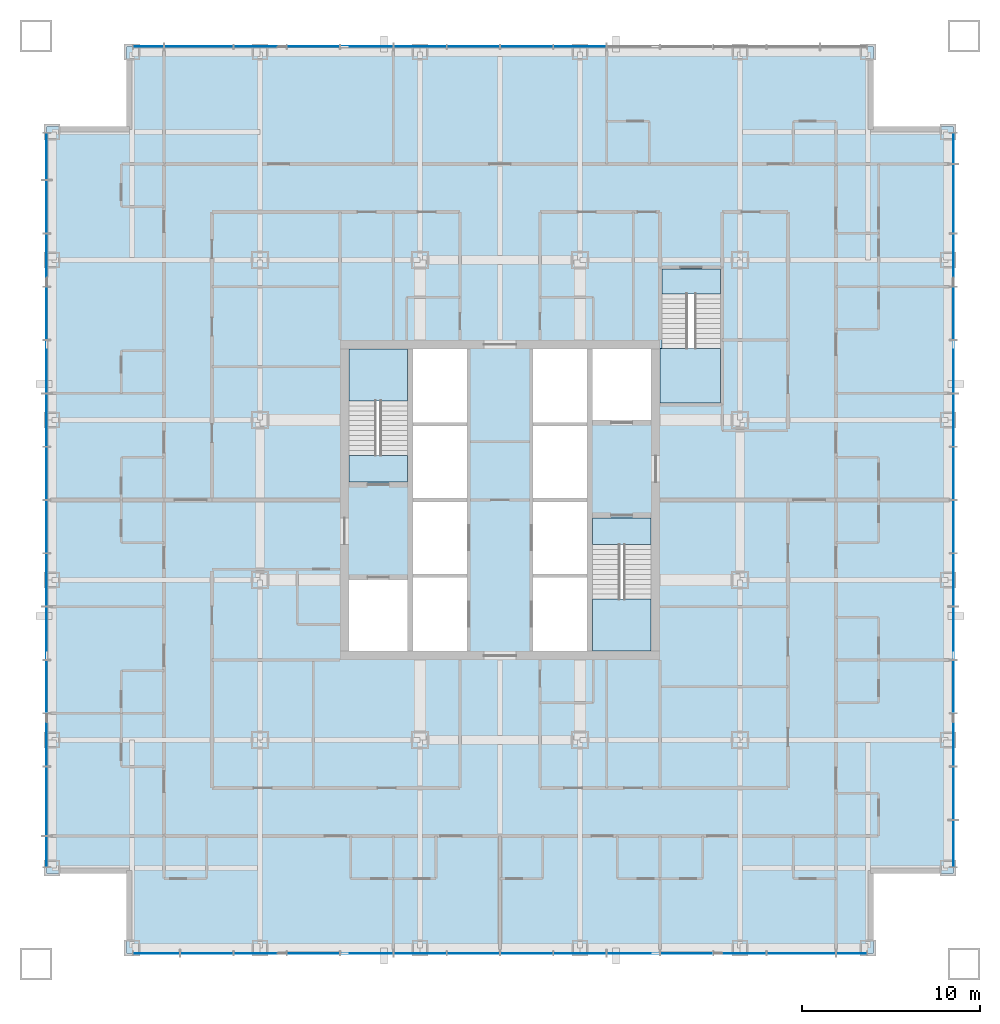
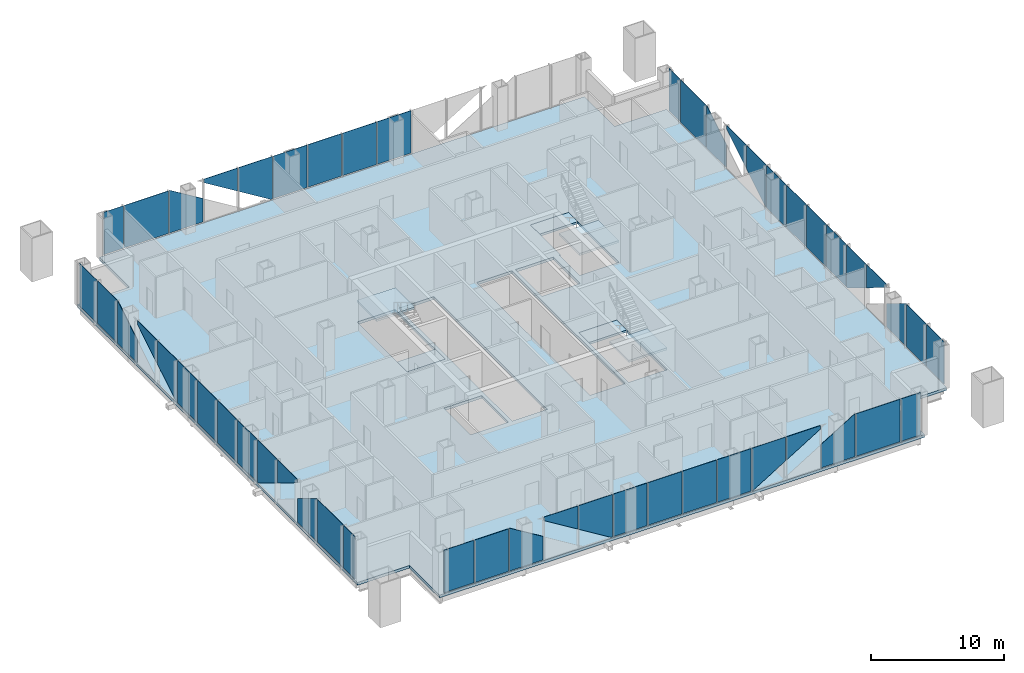
# One storey, part 6 of 17: 51 plates, 7 slabs, 7 elements without a shape of their own.
"""IFC4 building model written with IfcOpenShell, lengths in metres."""

from ifc_helpers import new_model, si_unit, direction, frame, origin, origin_2d, place, context, subcontext, project, spatial, polyline, rectangle, outline, extrude, material, layer, layer_set, type_object, element, aggregate, save


model = new_model("IFC4")

# Units and contexts
model_context = context("Model", 3, precision=1e-05, world=origin(), true_north=direction((0.0, 1.0)))
body_context = subcontext(model_context, "Body", "Model", "MODEL_VIEW")
ifc_project = project(units=[si_unit("LENGTHUNIT", "METRE"), si_unit("AREAUNIT", "SQUARE_METRE"), si_unit("VOLUMEUNIT", "CUBIC_METRE"), si_unit("PLANEANGLEUNIT", "RADIAN"), si_unit("MASSUNIT", "GRAM", prefix="KILO")], contexts=[model_context])

# Site, building, storey
site_placement = place(None, origin())
site = spatial("IfcSite", under=ifc_project, at=site_placement, CompositionType="ELEMENT")
building_placement = place(site_placement, origin())
building = spatial("IfcBuilding", under=site, at=building_placement, Name="Malebo Sky Hospital", CompositionType="ELEMENT")
storey_placement = place(building_placement, frame((0.0, 0.0, 83.0)))
storey = spatial("IfcBuildingStorey", under=building, at=storey_placement, Name="L19", CompositionType="ELEMENT", Elevation=83.0)

# Slab
ifc_material_1 = material(Name="Concrete C40/50", Category="concrete")
ifc_layer_1 = layer(ifc_material_1, 0.25)
ifc_layer_set_1 = layer_set([ifc_layer_1], Name="COMPOSITE FLOOR SLAB 250")
slab_type_1 = type_object("IfcSlabType", Name="COMPOSITE FLOOR SLAB 250", PredefinedType="FLOOR", material=ifc_layer_set_1)
slab_1_placement = place(storey_placement, frame((0.0, 0.0, -0.25)))
element("IfcSlab", 1, at=slab_1_placement, inside=storey, type_object=slab_type_1, Name="Floor slab L19", PredefinedType="FLOOR", context=body_context, shape_type="SweptSolid", body=[
    extrude(outline(polyline([(39.0, 87.5), (39.0, 83.0), (34.5, 83.0), (34.5, 41.0), (39.0, 41.0), (39.0, 36.5), (81.0, 36.5), (81.0, 41.0), (85.5, 41.0), (85.5, 83.0), (81.0, 83.0), (81.0, 87.5), (39.0, 87.5)]), holes=[polyline([(55.10009765625, 70.5), (58.14990234375, 70.5), (58.14990234375, 53.5), (55.10009765625, 53.5), (55.10009765625, 70.5)]), polyline([(64.89990234375, 70.5), (64.89990234375, 53.5), (61.85009765625, 53.5), (61.85009765625, 70.5), (64.89990234375, 70.5)]), polyline([(54.800048828125, 63.0), (51.5, 63.0), (51.5, 70.5), (54.800048828125, 70.5), (54.800048828125, 63.0)]), polyline([(51.5, 53.5), (51.5, 57.5), (54.800048828125, 57.5), (54.800048828125, 53.5), (51.5, 53.5)]), polyline([(65.199951171875, 61.0), (68.5, 61.0), (68.5, 53.5), (65.199951171875, 53.5), (65.199951171875, 61.0)]), polyline([(68.5, 70.5), (68.5, 66.5), (65.199951171875, 66.5), (65.199951171875, 70.5), (68.5, 70.5)]), polyline([(69.0, 67.449951171875), (69.0, 70.52001953125), (69.10009765625, 70.52001953125), (69.10009765625, 75.0), (72.39990234375, 75.0), (72.39990234375, 67.449951171875), (69.10009765625, 67.449951171875), (69.0, 67.449951171875)])]), origin(), (0.0, 0.0, 1.0), 0.25),
])

# Stair, slabs
stair_type_1 = type_object("IfcStairType", Name="HALF-TURN STAIR 1500 R167", PredefinedType="HALF_TURN_STAIR", material=ifc_material_1)
stair_1_placement = place(storey_placement, origin())
stair_1 = element("IfcStair", 2, at=stair_1_placement, inside=storey, type_object=stair_type_1, Name="Stair S1 L19 type ST1", PredefinedType="HALF_TURN_STAIR")
ifc_layer_2 = layer(ifc_material_1, 0.199951171875)
ifc_layer_set_2 = layer_set([ifc_layer_2], Name="STAIR LANDING 200")
slab_type_2 = type_object("IfcSlabType", Name="STAIR LANDING 200", PredefinedType="LANDING", material=ifc_layer_set_2)
slab_2_placement = place(storey_placement, frame((0.0, 0.0, -0.199951171875)))
slab_2 = element("IfcSlab", 3, at=slab_2_placement, type_object=slab_type_2, Name="S1 landing 1", PredefinedType="LANDING", context=body_context, shape_type="SweptSolid", body=[
    extrude(outline(polyline([(51.5, 63.0), (54.800048828125, 63.0), (54.800048828125, 64.5), (51.5, 64.5), (51.5, 63.0)])), origin(), (0.0, 0.0, 1.0), 0.199951171875),
])
slab_3_placement = place(storey_placement, frame((0.0, 0.0, 1.800048828125)))
slab_3 = element("IfcSlab", 4, at=slab_3_placement, type_object=slab_type_2, Name="S1 landing 2", PredefinedType="LANDING", context=body_context, shape_type="SweptSolid", body=[
    extrude(outline(polyline([(51.5, 67.580078125), (54.800048828125, 67.580078125), (54.800048828125, 70.5), (51.5, 70.5), (51.5, 67.580078125)])), origin(), (0.0, 0.0, 1.0), 0.199951171875),
])
aggregate(stair_1, [slab_2, slab_3])

stair_2_placement = place(storey_placement, origin())
stair_2 = element("IfcStair", 5, at=stair_2_placement, inside=storey, type_object=stair_type_1, Name="Stair S2 L19 type ST1", PredefinedType="HALF_TURN_STAIR")
slab_4_placement = place(storey_placement, frame((0.0, 0.0, -0.199951171875)))
slab_4 = element("IfcSlab", 6, at=slab_4_placement, type_object=slab_type_2, Name="S2 landing 1", PredefinedType="LANDING", context=body_context, shape_type="SweptSolid", body=[
    extrude(outline(polyline([(65.199951171875, 59.5), (68.5, 59.5), (68.5, 61.0), (65.199951171875, 61.0), (65.199951171875, 59.5)])), origin(), (0.0, 0.0, 1.0), 0.199951171875),
])
slab_5_placement = place(storey_placement, frame((0.0, 0.0, 1.800048828125)))
slab_5 = element("IfcSlab", 7, at=slab_5_placement, type_object=slab_type_2, Name="S2 landing 2", PredefinedType="LANDING", context=body_context, shape_type="SweptSolid", body=[
    extrude(outline(polyline([(65.199951171875, 53.5), (68.5, 53.5), (68.5, 56.419921875), (65.199951171875, 56.419921875), (65.199951171875, 53.5)])), origin(), (0.0, 0.0, 1.0), 0.199951171875),
])
aggregate(stair_2, [slab_4, slab_5])

stair_type_2 = type_object("IfcStairType", Name="HALF-TURN STAIR 1400 R167", PredefinedType="HALF_TURN_STAIR", material=ifc_material_1)
stair_3_placement = place(storey_placement, origin())
stair_3 = element("IfcStair", 8, at=stair_3_placement, inside=storey, type_object=stair_type_2, Name="Stair S3 L19 type ST1B", PredefinedType="HALF_TURN_STAIR")
slab_6_placement = place(storey_placement, frame((0.0, 0.0, -0.199951171875)))
slab_6 = element("IfcSlab", 9, at=slab_6_placement, type_object=slab_type_2, Name="S3 landing 1", PredefinedType="LANDING", context=body_context, shape_type="SweptSolid", body=[
    extrude(outline(polyline([(69.10009765625, 73.60009765625), (72.39990234375, 73.60009765625), (72.39990234375, 75.0), (69.10009765625, 75.0), (69.10009765625, 73.60009765625)])), origin(), (0.0, 0.0, 1.0), 0.199951171875),
])
slab_7_placement = place(storey_placement, frame((0.0, 0.0, 1.800048828125)))
slab_7 = element("IfcSlab", 10, at=slab_7_placement, type_object=slab_type_2, Name="S3 landing 2", PredefinedType="LANDING", context=body_context, shape_type="SweptSolid", body=[
    extrude(outline(polyline([(69.0, 67.449951171875), (72.39990234375, 67.449951171875), (72.39990234375, 70.52001953125), (69.0, 70.52001953125), (69.0, 67.449951171875)])), origin(), (0.0, 0.0, 1.0), 0.199951171875),
])
aggregate(stair_3, [slab_6, slab_7])

# Curtain wall, plates
ifc_material_2 = material(Name="Anodised aluminium, natural silver", Category="aluminium")
ifc_layer_3 = layer(ifc_material_2, 0.25)
ifc_layer_set_3 = layer_set([ifc_layer_3], Name="WARD CURTAIN WALL NORTH AND SOUTH")
curtain_wall_type_1 = type_object("IfcCurtainWallType", Name="WARD CURTAIN WALL NORTH AND SOUTH", PredefinedType="NOTDEFINED", material=ifc_layer_set_3)
curtain_wall_1_placement = place(storey_placement, origin())
curtain_wall_1 = element("IfcCurtainWall", 11, at=curtain_wall_1_placement, inside=storey, type_object=curtain_wall_type_1, Name="NS curtain wall N", PredefinedType="NOTDEFINED")
ifc_material_3 = material(Name="Clear low-iron double glazing", Category="glass")
ifc_layer_4 = layer(ifc_material_3, 0.031982421875)
ifc_layer_set_4 = layer_set([ifc_layer_4], Name="VISION PANEL CLEAR 32")
plate_type = type_object("IfcPlateType", Name="VISION PANEL CLEAR 32", PredefinedType="CURTAIN_PANEL", material=ifc_layer_set_4)
plate_1_placement = place(storey_placement, frame((40.21875, 87.5, 0.10009765625), z_axis=(0.0, 0.0, 1.0), x_axis=(1.0, 0.0, 0.0)))
plate_1 = element("IfcPlate", 12, at=plate_1_placement, type_object=plate_type, Name="Panel 1", PredefinedType="CURTAIN_PANEL", context=body_context, shape_type="SweptSolid", body=[
    extrude(rectangle(XDim=1.6875, YDim=0.031982421875, at=origin_2d()), origin(), (0.0, 0.0, 1.0), 3.889892578125),
])
plate_2_placement = place(storey_placement, frame((43.050048828125, 87.5, 0.10009765625), z_axis=(0.0, 0.0, 1.0), x_axis=(1.0, 0.0, 0.0)))
plate_2 = element("IfcPlate", 13, at=plate_2_placement, type_object=plate_type, Name="Panel 2", PredefinedType="CURTAIN_PANEL", context=body_context, shape_type="SweptSolid", body=[
    extrude(rectangle(XDim=3.824951171875, YDim=0.031982421875, at=origin_2d()), origin(), (0.0, 0.0, 1.0), 3.889892578125),
])
plate_3_placement = place(storey_placement, frame((46.5, 87.5, 0.10009765625), z_axis=(0.0, 0.0, 1.0), x_axis=(1.0, 0.0, 0.0)))
plate_3 = element("IfcPlate", 14, at=plate_3_placement, type_object=plate_type, Name="Panel 3", PredefinedType="CURTAIN_PANEL", context=body_context, shape_type="SweptSolid", body=[
    extrude(outline(polyline([(-1.46240234375, 0.0), (1.46240234375, 0.0), (1.46240234375, 2.145751953125), (-1.3828125, 3.889892578125), (-1.46240234375, 3.889892578125), (-1.46240234375, 0.0)])), frame((0.0, 0.01611328125, 0.0), z_axis=(0.0, -1.0, 0.0), x_axis=(1.0, 0.0, 0.0)), (0.0, 0.0, 1.0), 0.031982421875),
])
plate_4_placement = place(storey_placement, frame((49.5, 87.5, 1.8740234375), z_axis=(0.0, 0.0, 1.0), x_axis=(1.0, 0.0, 0.0)))
plate_4 = element("IfcPlate", 15, at=plate_4_placement, type_object=plate_type, Name="Panel 4", PredefinedType="CURTAIN_PANEL", context=body_context, shape_type="SweptSolid", body=[
    extrude(outline(polyline([(1.46240234375, 0.0), (1.46240234375, 2.115966796875), (-1.46240234375, 2.115966796875), (-1.46240234375, 1.793212890625), (1.46240234375, 0.0)])), frame((0.0, 0.01611328125, 0.0), z_axis=(0.0, -1.0, 0.0), x_axis=(1.0, 0.0, 0.0)), (0.0, 0.0, 1.0), 0.031982421875),
])
plate_5_placement = place(storey_placement, frame((52.5, 87.5, 0.10009765625), z_axis=(0.0, 0.0, 1.0), x_axis=(1.0, 0.0, 0.0)))
plate_5 = element("IfcPlate", 16, at=plate_5_placement, type_object=plate_type, Name="Panel 5", PredefinedType="CURTAIN_PANEL", context=body_context, shape_type="SweptSolid", body=[
    extrude(outline(polyline([(1.356201171875, 0.0), (1.46240234375, 0.0), (1.46240234375, 3.889892578125), (-1.46240234375, 3.889892578125), (-1.46240234375, 1.72802734375), (1.356201171875, 0.0)])), frame((0.0, 0.01611328125, 0.0), z_axis=(0.0, -1.0, 0.0), x_axis=(1.0, 0.0, 0.0)), (0.0, 0.0, 1.0), 0.031982421875),
])
plate_6_placement = place(storey_placement, frame((55.5, 87.5, 0.10009765625), z_axis=(0.0, 0.0, 1.0), x_axis=(1.0, 0.0, 0.0)))
plate_6 = element("IfcPlate", 17, at=plate_6_placement, type_object=plate_type, Name="Panel 6", PredefinedType="CURTAIN_PANEL", context=body_context, shape_type="SweptSolid", body=[
    extrude(rectangle(XDim=2.925048828125, YDim=0.031982421875, at=origin_2d()), origin(), (0.0, 0.0, 1.0), 3.889892578125),
])
plate_7_placement = place(storey_placement, frame((58.5, 87.5, 0.10009765625), z_axis=(0.0, 0.0, 1.0), x_axis=(1.0, 0.0, 0.0)))
plate_7 = element("IfcPlate", 18, at=plate_7_placement, type_object=plate_type, Name="Panel 7", PredefinedType="CURTAIN_PANEL", context=body_context, shape_type="SweptSolid", body=[
    extrude(rectangle(XDim=2.925048828125, YDim=0.031982421875, at=origin_2d()), origin(), (0.0, 0.0, 1.0), 3.889892578125),
])
plate_8_placement = place(storey_placement, frame((61.5, 87.5, 0.10009765625), z_axis=(0.0, 0.0, 1.0), x_axis=(1.0, 0.0, 0.0)))
plate_8 = element("IfcPlate", 19, at=plate_8_placement, type_object=plate_type, Name="Panel 8", PredefinedType="CURTAIN_PANEL", context=body_context, shape_type="SweptSolid", body=[
    extrude(rectangle(XDim=2.925048828125, YDim=0.031982421875, at=origin_2d()), origin(), (0.0, 0.0, 1.0), 3.889892578125),
])
plate_9_placement = place(storey_placement, frame((64.5, 87.5, 0.10009765625), z_axis=(0.0, 0.0, 1.0), x_axis=(1.0, 0.0, 0.0)))
plate_9 = element("IfcPlate", 20, at=plate_9_placement, type_object=plate_type, Name="Panel 9", PredefinedType="CURTAIN_PANEL", context=body_context, shape_type="SweptSolid", body=[
    extrude(rectangle(XDim=2.925048828125, YDim=0.031982421875, at=origin_2d()), origin(), (0.0, 0.0, 1.0), 3.889892578125),
])
aggregate(curtain_wall_1, [plate_1, plate_2, plate_3, plate_4, plate_5, plate_6, plate_7, plate_8, plate_9])

ifc_layer_5 = layer(ifc_material_2, 0.25)
ifc_layer_set_5 = layer_set([ifc_layer_5], Name="WARD CURTAIN WALL EAST AND WEST")
curtain_wall_type_2 = type_object("IfcCurtainWallType", Name="WARD CURTAIN WALL EAST AND WEST", PredefinedType="NOTDEFINED", material=ifc_layer_set_5)
curtain_wall_2_placement = place(storey_placement, origin())
curtain_wall_2 = element("IfcCurtainWall", 21, at=curtain_wall_2_placement, inside=storey, type_object=curtain_wall_type_2, Name="EW curtain wall W", PredefinedType="NOTDEFINED")
plate_10_placement = place(storey_placement, frame((34.5, 42.21875, 0.10009765625), z_axis=(0.0, 0.0, 1.0), x_axis=(0.0, 1.0, 0.0)))
plate_10 = element("IfcPlate", 22, at=plate_10_placement, type_object=plate_type, Name="Panel 1", PredefinedType="CURTAIN_PANEL", context=body_context, shape_type="SweptSolid", body=[
    extrude(rectangle(XDim=1.6875, YDim=0.031982421875, at=origin_2d()), origin(), (0.0, 0.0, 1.0), 3.889892578125),
])
plate_11_placement = place(storey_placement, frame((34.5, 45.050048828125, 0.10009765625), z_axis=(0.0, 0.0, 1.0), x_axis=(0.0, 1.0, 0.0)))
plate_11 = element("IfcPlate", 23, at=plate_11_placement, type_object=plate_type, Name="Panel 2", PredefinedType="CURTAIN_PANEL", context=body_context, shape_type="SweptSolid", body=[
    extrude(rectangle(XDim=3.824951171875, YDim=0.031982421875, at=origin_2d()), origin(), (0.0, 0.0, 1.0), 3.889892578125),
])
plate_12_placement = place(storey_placement, frame((34.5, 48.5, 0.10009765625), z_axis=(0.0, 0.0, 1.0), x_axis=(0.0, 1.0, 0.0)))
plate_12 = element("IfcPlate", 24, at=plate_12_placement, type_object=plate_type, Name="Panel 3", PredefinedType="CURTAIN_PANEL", context=body_context, shape_type="SweptSolid", body=[
    extrude(outline(polyline([(-1.46240234375, 0.0), (1.46240234375, 0.0), (1.46240234375, 2.145751953125), (-1.3828125, 3.889892578125), (-1.46240234375, 3.889892578125), (-1.46240234375, 0.0)])), frame((0.0, 0.01611328125, 0.0), z_axis=(0.0, -1.0, 0.0), x_axis=(1.0, 0.0, 0.0)), (0.0, 0.0, 1.0), 0.031982421875),
])
plate_13_placement = place(storey_placement, frame((34.5, 51.5, 1.8740234375), z_axis=(0.0, 0.0, 1.0), x_axis=(0.0, 1.0, 0.0)))
plate_13 = element("IfcPlate", 25, at=plate_13_placement, type_object=plate_type, Name="Panel 4", PredefinedType="CURTAIN_PANEL", context=body_context, shape_type="SweptSolid", body=[
    extrude(outline(polyline([(1.46240234375, 0.0), (1.46240234375, 2.115966796875), (-1.46240234375, 2.115966796875), (-1.46240234375, 1.793212890625), (1.46240234375, 0.0)])), frame((0.0, 0.01611328125, 0.0), z_axis=(0.0, -1.0, 0.0), x_axis=(1.0, 0.0, 0.0)), (0.0, 0.0, 1.0), 0.031982421875),
])
plate_14_placement = place(storey_placement, frame((34.5, 54.5, 0.10009765625), z_axis=(0.0, 0.0, 1.0), x_axis=(0.0, 1.0, 0.0)))
plate_14 = element("IfcPlate", 26, at=plate_14_placement, type_object=plate_type, Name="Panel 5", PredefinedType="CURTAIN_PANEL", context=body_context, shape_type="SweptSolid", body=[
    extrude(outline(polyline([(1.356201171875, 0.0), (1.46240234375, 0.0), (1.46240234375, 3.889892578125), (-1.46240234375, 3.889892578125), (-1.46240234375, 1.72802734375), (1.356201171875, 0.0)])), frame((0.0, 0.01611328125, 0.0), z_axis=(0.0, -1.0, 0.0), x_axis=(1.0, 0.0, 0.0)), (0.0, 0.0, 1.0), 0.031982421875),
])
plate_15_placement = place(storey_placement, frame((34.5, 57.5, 0.10009765625), z_axis=(0.0, 0.0, 1.0), x_axis=(0.0, 1.0, 0.0)))
plate_15 = element("IfcPlate", 27, at=plate_15_placement, type_object=plate_type, Name="Panel 6", PredefinedType="CURTAIN_PANEL", context=body_context, shape_type="SweptSolid", body=[
    extrude(rectangle(XDim=2.925048828125, YDim=0.031982421875, at=origin_2d()), origin(), (0.0, 0.0, 1.0), 3.889892578125),
])
plate_16_placement = place(storey_placement, frame((34.5, 60.5, 0.10009765625), z_axis=(0.0, 0.0, 1.0), x_axis=(0.0, 1.0, 0.0)))
plate_16 = element("IfcPlate", 28, at=plate_16_placement, type_object=plate_type, Name="Panel 7", PredefinedType="CURTAIN_PANEL", context=body_context, shape_type="SweptSolid", body=[
    extrude(rectangle(XDim=2.925048828125, YDim=0.031982421875, at=origin_2d()), origin(), (0.0, 0.0, 1.0), 3.889892578125),
])
plate_17_placement = place(storey_placement, frame((34.5, 63.5, 0.10009765625), z_axis=(0.0, 0.0, 1.0), x_axis=(0.0, 1.0, 0.0)))
plate_17 = element("IfcPlate", 29, at=plate_17_placement, type_object=plate_type, Name="Panel 8", PredefinedType="CURTAIN_PANEL", context=body_context, shape_type="SweptSolid", body=[
    extrude(rectangle(XDim=2.925048828125, YDim=0.031982421875, at=origin_2d()), origin(), (0.0, 0.0, 1.0), 3.889892578125),
])
plate_18_placement = place(storey_placement, frame((34.5, 66.5, 0.10009765625), z_axis=(0.0, 0.0, 1.0), x_axis=(0.0, 1.0, 0.0)))
plate_18 = element("IfcPlate", 30, at=plate_18_placement, type_object=plate_type, Name="Panel 9", PredefinedType="CURTAIN_PANEL", context=body_context, shape_type="SweptSolid", body=[
    extrude(rectangle(XDim=2.925048828125, YDim=0.031982421875, at=origin_2d()), origin(), (0.0, 0.0, 1.0), 3.889892578125),
])
plate_19_placement = place(storey_placement, frame((34.5, 69.5, 0.10009765625), z_axis=(0.0, 0.0, 1.0), x_axis=(0.0, 1.0, 0.0)))
plate_19 = element("IfcPlate", 31, at=plate_19_placement, type_object=plate_type, Name="Panel 10", PredefinedType="CURTAIN_PANEL", context=body_context, shape_type="SweptSolid", body=[
    extrude(outline(polyline([(-1.46240234375, 0.0), (-1.356201171875, 0.0), (1.46240234375, 1.72802734375), (1.46240234375, 3.889892578125), (-1.46240234375, 3.889892578125), (-1.46240234375, 0.0)])), frame((0.0, 0.01611328125, 0.0), z_axis=(0.0, -1.0, 0.0), x_axis=(1.0, 0.0, 0.0)), (0.0, 0.0, 1.0), 0.031982421875),
])
plate_20_placement = place(storey_placement, frame((34.5, 72.5, 1.8740234375), z_axis=(0.0, 0.0, 1.0), x_axis=(0.0, 1.0, 0.0)))
plate_20 = element("IfcPlate", 32, at=plate_20_placement, type_object=plate_type, Name="Panel 11", PredefinedType="CURTAIN_PANEL", context=body_context, shape_type="SweptSolid", body=[
    extrude(outline(polyline([(-1.46240234375, 0.0), (1.46240234375, 1.793212890625), (1.46240234375, 2.115966796875), (-1.46240234375, 2.115966796875), (-1.46240234375, 0.0)])), frame((0.0, 0.01611328125, 0.0), z_axis=(0.0, -1.0, 0.0), x_axis=(1.0, 0.0, 0.0)), (0.0, 0.0, 1.0), 0.031982421875),
])
plate_21_placement = place(storey_placement, frame((34.5, 75.5, 0.10009765625), z_axis=(0.0, 0.0, 1.0), x_axis=(0.0, 1.0, 0.0)))
plate_21 = element("IfcPlate", 33, at=plate_21_placement, type_object=plate_type, Name="Panel 12", PredefinedType="CURTAIN_PANEL", context=body_context, shape_type="SweptSolid", body=[
    extrude(outline(polyline([(-1.46240234375, 0.0), (1.46240234375, 0.0), (1.46240234375, 3.889892578125), (1.3828125, 3.889892578125), (-1.46240234375, 2.145751953125), (-1.46240234375, 0.0)])), frame((0.0, 0.01611328125, 0.0), z_axis=(0.0, -1.0, 0.0), x_axis=(1.0, 0.0, 0.0)), (0.0, 0.0, 1.0), 0.031982421875),
])
plate_22_placement = place(storey_placement, frame((34.5, 78.5, 0.10009765625), z_axis=(0.0, 0.0, 1.0), x_axis=(0.0, 1.0, 0.0)))
plate_22 = element("IfcPlate", 34, at=plate_22_placement, type_object=plate_type, Name="Panel 13", PredefinedType="CURTAIN_PANEL", context=body_context, shape_type="SweptSolid", body=[
    extrude(rectangle(XDim=2.925048828125, YDim=0.031982421875, at=origin_2d()), origin(), (0.0, 0.0, 1.0), 3.889892578125),
])
plate_23_placement = place(storey_placement, frame((34.5, 81.331298828125, 0.10009765625), z_axis=(0.0, 0.0, 1.0), x_axis=(0.0, 1.0, 0.0)))
plate_23 = element("IfcPlate", 35, at=plate_23_placement, type_object=plate_type, Name="Panel 14", PredefinedType="CURTAIN_PANEL", context=body_context, shape_type="SweptSolid", body=[
    extrude(rectangle(XDim=2.58740234375, YDim=0.031982421875, at=origin_2d()), origin(), (0.0, 0.0, 1.0), 3.889892578125),
])
aggregate(curtain_wall_2, [plate_10, plate_11, plate_12, plate_13, plate_14, plate_15, plate_16, plate_17, plate_18, plate_19, plate_20, plate_21, plate_22, plate_23])

curtain_wall_3_placement = place(storey_placement, origin())
curtain_wall_3 = element("IfcCurtainWall", 36, at=curtain_wall_3_placement, inside=storey, type_object=curtain_wall_type_1, Name="NS curtain wall S", PredefinedType="NOTDEFINED")
plate_24_placement = place(storey_placement, frame((79.78125, 36.5, 0.10009765625), z_axis=(0.0, 0.0, 1.0), x_axis=(-1.0, 0.0, 0.0)))
plate_24 = element("IfcPlate", 37, at=plate_24_placement, type_object=plate_type, Name="Panel 1", PredefinedType="CURTAIN_PANEL", context=body_context, shape_type="SweptSolid", body=[
    extrude(rectangle(XDim=1.6875, YDim=0.031982421875, at=origin_2d()), origin(), (0.0, 0.0, 1.0), 3.889892578125),
])
plate_25_placement = place(storey_placement, frame((76.949951171875, 36.5, 0.10009765625), z_axis=(0.0, 0.0, 1.0), x_axis=(-1.0, 0.0, 0.0)))
plate_25 = element("IfcPlate", 38, at=plate_25_placement, type_object=plate_type, Name="Panel 2", PredefinedType="CURTAIN_PANEL", context=body_context, shape_type="SweptSolid", body=[
    extrude(rectangle(XDim=3.824951171875, YDim=0.031982421875, at=origin_2d()), origin(), (0.0, 0.0, 1.0), 3.889892578125),
])
plate_26_placement = place(storey_placement, frame((73.5, 36.5, 0.10009765625), z_axis=(0.0, 0.0, 1.0), x_axis=(-1.0, 0.0, 0.0)))
plate_26 = element("IfcPlate", 39, at=plate_26_placement, type_object=plate_type, Name="Panel 3", PredefinedType="CURTAIN_PANEL", context=body_context, shape_type="SweptSolid", body=[
    extrude(outline(polyline([(-1.46240234375, 0.0), (1.46240234375, 0.0), (1.46240234375, 2.145751953125), (-1.3828125, 3.889892578125), (-1.46240234375, 3.889892578125), (-1.46240234375, 0.0)])), frame((0.0, 0.01611328125, 0.0), z_axis=(0.0, -1.0, 0.0), x_axis=(1.0, 0.0, 0.0)), (0.0, 0.0, 1.0), 0.031982421875),
])
plate_27_placement = place(storey_placement, frame((70.5, 36.5, 1.8740234375), z_axis=(0.0, 0.0, 1.0), x_axis=(-1.0, 0.0, 0.0)))
plate_27 = element("IfcPlate", 40, at=plate_27_placement, type_object=plate_type, Name="Panel 4", PredefinedType="CURTAIN_PANEL", context=body_context, shape_type="SweptSolid", body=[
    extrude(outline(polyline([(1.46240234375, 0.0), (1.46240234375, 2.115966796875), (-1.46240234375, 2.115966796875), (-1.46240234375, 1.793212890625), (1.46240234375, 0.0)])), frame((0.0, 0.01611328125, 0.0), z_axis=(0.0, -1.0, 0.0), x_axis=(1.0, 0.0, 0.0)), (0.0, 0.0, 1.0), 0.031982421875),
])
plate_28_placement = place(storey_placement, frame((67.5, 36.5, 0.10009765625), z_axis=(0.0, 0.0, 1.0), x_axis=(-1.0, 0.0, 0.0)))
plate_28 = element("IfcPlate", 41, at=plate_28_placement, type_object=plate_type, Name="Panel 5", PredefinedType="CURTAIN_PANEL", context=body_context, shape_type="SweptSolid", body=[
    extrude(outline(polyline([(1.356201171875, 0.0), (1.46240234375, 0.0), (1.46240234375, 3.889892578125), (-1.46240234375, 3.889892578125), (-1.46240234375, 1.72802734375), (1.356201171875, 0.0)])), frame((0.0, 0.01611328125, 0.0), z_axis=(0.0, -1.0, 0.0), x_axis=(1.0, 0.0, 0.0)), (0.0, 0.0, 1.0), 0.031982421875),
])
plate_29_placement = place(storey_placement, frame((64.5, 36.5, 0.10009765625), z_axis=(0.0, 0.0, 1.0), x_axis=(-1.0, 0.0, 0.0)))
plate_29 = element("IfcPlate", 42, at=plate_29_placement, type_object=plate_type, Name="Panel 6", PredefinedType="CURTAIN_PANEL", context=body_context, shape_type="SweptSolid", body=[
    extrude(rectangle(XDim=2.925048828125, YDim=0.031982421875, at=origin_2d()), origin(), (0.0, 0.0, 1.0), 3.889892578125),
])
plate_30_placement = place(storey_placement, frame((61.5, 36.5, 0.10009765625), z_axis=(0.0, 0.0, 1.0), x_axis=(-1.0, 0.0, 0.0)))
plate_30 = element("IfcPlate", 43, at=plate_30_placement, type_object=plate_type, Name="Panel 7", PredefinedType="CURTAIN_PANEL", context=body_context, shape_type="SweptSolid", body=[
    extrude(rectangle(XDim=2.925048828125, YDim=0.031982421875, at=origin_2d()), origin(), (0.0, 0.0, 1.0), 3.889892578125),
])
plate_31_placement = place(storey_placement, frame((58.5, 36.5, 0.10009765625), z_axis=(0.0, 0.0, 1.0), x_axis=(-1.0, 0.0, 0.0)))
plate_31 = element("IfcPlate", 44, at=plate_31_placement, type_object=plate_type, Name="Panel 8", PredefinedType="CURTAIN_PANEL", context=body_context, shape_type="SweptSolid", body=[
    extrude(rectangle(XDim=2.925048828125, YDim=0.031982421875, at=origin_2d()), origin(), (0.0, 0.0, 1.0), 3.889892578125),
])
plate_32_placement = place(storey_placement, frame((55.5, 36.5, 0.10009765625), z_axis=(0.0, 0.0, 1.0), x_axis=(-1.0, 0.0, 0.0)))
plate_32 = element("IfcPlate", 45, at=plate_32_placement, type_object=plate_type, Name="Panel 9", PredefinedType="CURTAIN_PANEL", context=body_context, shape_type="SweptSolid", body=[
    extrude(rectangle(XDim=2.925048828125, YDim=0.031982421875, at=origin_2d()), origin(), (0.0, 0.0, 1.0), 3.889892578125),
])
plate_33_placement = place(storey_placement, frame((52.5, 36.5, 0.10009765625), z_axis=(0.0, 0.0, 1.0), x_axis=(-1.0, 0.0, 0.0)))
plate_33 = element("IfcPlate", 46, at=plate_33_placement, type_object=plate_type, Name="Panel 10", PredefinedType="CURTAIN_PANEL", context=body_context, shape_type="SweptSolid", body=[
    extrude(outline(polyline([(-1.46240234375, 0.0), (-1.356201171875, 0.0), (1.46240234375, 1.72802734375), (1.46240234375, 3.889892578125), (-1.46240234375, 3.889892578125), (-1.46240234375, 0.0)])), frame((0.0, 0.01611328125, 0.0), z_axis=(0.0, -1.0, 0.0), x_axis=(1.0, 0.0, 0.0)), (0.0, 0.0, 1.0), 0.031982421875),
])
plate_34_placement = place(storey_placement, frame((49.5, 36.5, 1.8740234375), z_axis=(0.0, 0.0, 1.0), x_axis=(-1.0, 0.0, 0.0)))
plate_34 = element("IfcPlate", 47, at=plate_34_placement, type_object=plate_type, Name="Panel 11", PredefinedType="CURTAIN_PANEL", context=body_context, shape_type="SweptSolid", body=[
    extrude(outline(polyline([(-1.46240234375, 0.0), (1.46240234375, 1.793212890625), (1.46240234375, 2.115966796875), (-1.46240234375, 2.115966796875), (-1.46240234375, 0.0)])), frame((0.0, 0.01611328125, 0.0), z_axis=(0.0, -1.0, 0.0), x_axis=(1.0, 0.0, 0.0)), (0.0, 0.0, 1.0), 0.031982421875),
])
plate_35_placement = place(storey_placement, frame((46.5, 36.5, 0.10009765625), z_axis=(0.0, 0.0, 1.0), x_axis=(-1.0, 0.0, 0.0)))
plate_35 = element("IfcPlate", 48, at=plate_35_placement, type_object=plate_type, Name="Panel 12", PredefinedType="CURTAIN_PANEL", context=body_context, shape_type="SweptSolid", body=[
    extrude(outline(polyline([(-1.46240234375, 0.0), (1.46240234375, 0.0), (1.46240234375, 3.889892578125), (1.3828125, 3.889892578125), (-1.46240234375, 2.145751953125), (-1.46240234375, 0.0)])), frame((0.0, 0.01611328125, 0.0), z_axis=(0.0, -1.0, 0.0), x_axis=(1.0, 0.0, 0.0)), (0.0, 0.0, 1.0), 0.031982421875),
])
plate_36_placement = place(storey_placement, frame((43.5, 36.5, 0.10009765625), z_axis=(0.0, 0.0, 1.0), x_axis=(-1.0, 0.0, 0.0)))
plate_36 = element("IfcPlate", 49, at=plate_36_placement, type_object=plate_type, Name="Panel 13", PredefinedType="CURTAIN_PANEL", context=body_context, shape_type="SweptSolid", body=[
    extrude(rectangle(XDim=2.925048828125, YDim=0.031982421875, at=origin_2d()), origin(), (0.0, 0.0, 1.0), 3.889892578125),
])
plate_37_placement = place(storey_placement, frame((40.668701171875, 36.5, 0.10009765625), z_axis=(0.0, 0.0, 1.0), x_axis=(-1.0, 0.0, 0.0)))
plate_37 = element("IfcPlate", 50, at=plate_37_placement, type_object=plate_type, Name="Panel 14", PredefinedType="CURTAIN_PANEL", context=body_context, shape_type="SweptSolid", body=[
    extrude(rectangle(XDim=2.58740234375, YDim=0.031982421875, at=origin_2d()), origin(), (0.0, 0.0, 1.0), 3.889892578125),
])
aggregate(curtain_wall_3, [plate_24, plate_25, plate_26, plate_27, plate_28, plate_29, plate_30, plate_31, plate_32, plate_33, plate_34, plate_35, plate_36, plate_37])

curtain_wall_4_placement = place(storey_placement, origin())
curtain_wall_4 = element("IfcCurtainWall", 51, at=curtain_wall_4_placement, inside=storey, type_object=curtain_wall_type_2, Name="EW curtain wall E", PredefinedType="NOTDEFINED")
plate_38_placement = place(storey_placement, frame((85.5, 81.78125, 0.10009765625), z_axis=(0.0, 0.0, 1.0), x_axis=(0.0, -1.0, 0.0)))
plate_38 = element("IfcPlate", 52, at=plate_38_placement, type_object=plate_type, Name="Panel 1", PredefinedType="CURTAIN_PANEL", context=body_context, shape_type="SweptSolid", body=[
    extrude(rectangle(XDim=1.6875, YDim=0.031982421875, at=origin_2d()), origin(), (0.0, 0.0, 1.0), 3.889892578125),
])
plate_39_placement = place(storey_placement, frame((85.5, 78.949951171875, 0.10009765625), z_axis=(0.0, 0.0, 1.0), x_axis=(0.0, -1.0, 0.0)))
plate_39 = element("IfcPlate", 53, at=plate_39_placement, type_object=plate_type, Name="Panel 2", PredefinedType="CURTAIN_PANEL", context=body_context, shape_type="SweptSolid", body=[
    extrude(rectangle(XDim=3.824951171875, YDim=0.031982421875, at=origin_2d()), origin(), (0.0, 0.0, 1.0), 3.889892578125),
])
plate_40_placement = place(storey_placement, frame((85.5, 75.5, 0.10009765625), z_axis=(0.0, 0.0, 1.0), x_axis=(0.0, -1.0, 0.0)))
plate_40 = element("IfcPlate", 54, at=plate_40_placement, type_object=plate_type, Name="Panel 3", PredefinedType="CURTAIN_PANEL", context=body_context, shape_type="SweptSolid", body=[
    extrude(outline(polyline([(-1.46240234375, 0.0), (1.46240234375, 0.0), (1.46240234375, 2.145751953125), (-1.3828125, 3.889892578125), (-1.46240234375, 3.889892578125), (-1.46240234375, 0.0)])), frame((0.0, 0.01611328125, 0.0), z_axis=(0.0, -1.0, 0.0), x_axis=(1.0, 0.0, 0.0)), (0.0, 0.0, 1.0), 0.031982421875),
])
plate_41_placement = place(storey_placement, frame((85.5, 72.5, 1.8740234375), z_axis=(0.0, 0.0, 1.0), x_axis=(0.0, -1.0, 0.0)))
plate_41 = element("IfcPlate", 55, at=plate_41_placement, type_object=plate_type, Name="Panel 4", PredefinedType="CURTAIN_PANEL", context=body_context, shape_type="SweptSolid", body=[
    extrude(outline(polyline([(1.46240234375, 0.0), (1.46240234375, 2.115966796875), (-1.46240234375, 2.115966796875), (-1.46240234375, 1.793212890625), (1.46240234375, 0.0)])), frame((0.0, 0.01611328125, 0.0), z_axis=(0.0, -1.0, 0.0), x_axis=(1.0, 0.0, 0.0)), (0.0, 0.0, 1.0), 0.031982421875),
])
plate_42_placement = place(storey_placement, frame((85.5, 69.5, 0.10009765625), z_axis=(0.0, 0.0, 1.0), x_axis=(0.0, -1.0, 0.0)))
plate_42 = element("IfcPlate", 56, at=plate_42_placement, type_object=plate_type, Name="Panel 5", PredefinedType="CURTAIN_PANEL", context=body_context, shape_type="SweptSolid", body=[
    extrude(outline(polyline([(1.356201171875, 0.0), (1.46240234375, 0.0), (1.46240234375, 3.889892578125), (-1.46240234375, 3.889892578125), (-1.46240234375, 1.72802734375), (1.356201171875, 0.0)])), frame((0.0, 0.01611328125, 0.0), z_axis=(0.0, -1.0, 0.0), x_axis=(1.0, 0.0, 0.0)), (0.0, 0.0, 1.0), 0.031982421875),
])
plate_43_placement = place(storey_placement, frame((85.5, 66.5, 0.10009765625), z_axis=(0.0, 0.0, 1.0), x_axis=(0.0, -1.0, 0.0)))
plate_43 = element("IfcPlate", 57, at=plate_43_placement, type_object=plate_type, Name="Panel 6", PredefinedType="CURTAIN_PANEL", context=body_context, shape_type="SweptSolid", body=[
    extrude(rectangle(XDim=2.925048828125, YDim=0.031982421875, at=origin_2d()), origin(), (0.0, 0.0, 1.0), 3.889892578125),
])
plate_44_placement = place(storey_placement, frame((85.5, 63.5, 0.10009765625), z_axis=(0.0, 0.0, 1.0), x_axis=(0.0, -1.0, 0.0)))
plate_44 = element("IfcPlate", 58, at=plate_44_placement, type_object=plate_type, Name="Panel 7", PredefinedType="CURTAIN_PANEL", context=body_context, shape_type="SweptSolid", body=[
    extrude(rectangle(XDim=2.925048828125, YDim=0.031982421875, at=origin_2d()), origin(), (0.0, 0.0, 1.0), 3.889892578125),
])
plate_45_placement = place(storey_placement, frame((85.5, 60.5, 0.10009765625), z_axis=(0.0, 0.0, 1.0), x_axis=(0.0, -1.0, 0.0)))
plate_45 = element("IfcPlate", 59, at=plate_45_placement, type_object=plate_type, Name="Panel 8", PredefinedType="CURTAIN_PANEL", context=body_context, shape_type="SweptSolid", body=[
    extrude(rectangle(XDim=2.925048828125, YDim=0.031982421875, at=origin_2d()), origin(), (0.0, 0.0, 1.0), 3.889892578125),
])
plate_46_placement = place(storey_placement, frame((85.5, 57.5, 0.10009765625), z_axis=(0.0, 0.0, 1.0), x_axis=(0.0, -1.0, 0.0)))
plate_46 = element("IfcPlate", 60, at=plate_46_placement, type_object=plate_type, Name="Panel 9", PredefinedType="CURTAIN_PANEL", context=body_context, shape_type="SweptSolid", body=[
    extrude(rectangle(XDim=2.925048828125, YDim=0.031982421875, at=origin_2d()), origin(), (0.0, 0.0, 1.0), 3.889892578125),
])
plate_47_placement = place(storey_placement, frame((85.5, 54.5, 0.10009765625), z_axis=(0.0, 0.0, 1.0), x_axis=(0.0, -1.0, 0.0)))
plate_47 = element("IfcPlate", 61, at=plate_47_placement, type_object=plate_type, Name="Panel 10", PredefinedType="CURTAIN_PANEL", context=body_context, shape_type="SweptSolid", body=[
    extrude(outline(polyline([(-1.46240234375, 0.0), (-1.356201171875, 0.0), (1.46240234375, 1.72802734375), (1.46240234375, 3.889892578125), (-1.46240234375, 3.889892578125), (-1.46240234375, 0.0)])), frame((0.0, 0.01611328125, 0.0), z_axis=(0.0, -1.0, 0.0), x_axis=(1.0, 0.0, 0.0)), (0.0, 0.0, 1.0), 0.031982421875),
])
plate_48_placement = place(storey_placement, frame((85.5, 51.5, 1.8740234375), z_axis=(0.0, 0.0, 1.0), x_axis=(0.0, -1.0, 0.0)))
plate_48 = element("IfcPlate", 62, at=plate_48_placement, type_object=plate_type, Name="Panel 11", PredefinedType="CURTAIN_PANEL", context=body_context, shape_type="SweptSolid", body=[
    extrude(outline(polyline([(-1.46240234375, 0.0), (1.46240234375, 1.793212890625), (1.46240234375, 2.115966796875), (-1.46240234375, 2.115966796875), (-1.46240234375, 0.0)])), frame((0.0, 0.01611328125, 0.0), z_axis=(0.0, -1.0, 0.0), x_axis=(1.0, 0.0, 0.0)), (0.0, 0.0, 1.0), 0.031982421875),
])
plate_49_placement = place(storey_placement, frame((85.5, 48.5, 0.10009765625), z_axis=(0.0, 0.0, 1.0), x_axis=(0.0, -1.0, 0.0)))
plate_49 = element("IfcPlate", 63, at=plate_49_placement, type_object=plate_type, Name="Panel 12", PredefinedType="CURTAIN_PANEL", context=body_context, shape_type="SweptSolid", body=[
    extrude(outline(polyline([(-1.46240234375, 0.0), (1.46240234375, 0.0), (1.46240234375, 3.889892578125), (1.3828125, 3.889892578125), (-1.46240234375, 2.145751953125), (-1.46240234375, 0.0)])), frame((0.0, 0.01611328125, 0.0), z_axis=(0.0, -1.0, 0.0), x_axis=(1.0, 0.0, 0.0)), (0.0, 0.0, 1.0), 0.031982421875),
])
plate_50_placement = place(storey_placement, frame((85.5, 45.5, 0.10009765625), z_axis=(0.0, 0.0, 1.0), x_axis=(0.0, -1.0, 0.0)))
plate_50 = element("IfcPlate", 64, at=plate_50_placement, type_object=plate_type, Name="Panel 13", PredefinedType="CURTAIN_PANEL", context=body_context, shape_type="SweptSolid", body=[
    extrude(rectangle(XDim=2.925048828125, YDim=0.031982421875, at=origin_2d()), origin(), (0.0, 0.0, 1.0), 3.889892578125),
])
plate_51_placement = place(storey_placement, frame((85.5, 42.668701171875, 0.10009765625), z_axis=(0.0, 0.0, 1.0), x_axis=(0.0, -1.0, 0.0)))
plate_51 = element("IfcPlate", 65, at=plate_51_placement, type_object=plate_type, Name="Panel 14", PredefinedType="CURTAIN_PANEL", context=body_context, shape_type="SweptSolid", body=[
    extrude(rectangle(XDim=2.58740234375, YDim=0.031982421875, at=origin_2d()), origin(), (0.0, 0.0, 1.0), 3.889892578125),
])
aggregate(curtain_wall_4, [plate_38, plate_39, plate_40, plate_41, plate_42, plate_43, plate_44, plate_45, plate_46, plate_47, plate_48, plate_49, plate_50, plate_51])

save(model, "model.ifc")
